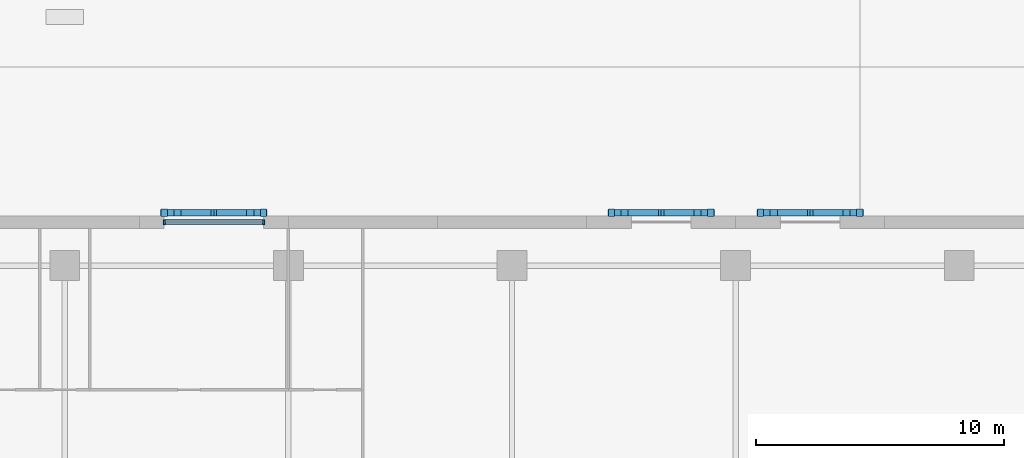
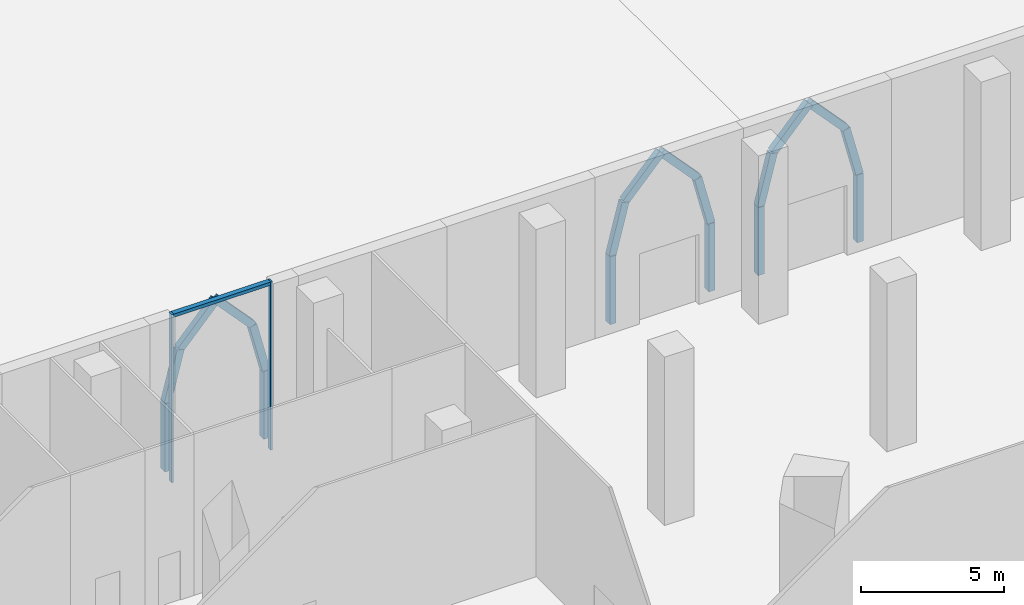
# One storey, part 15 of 48: 21 members, 1 element without a shape of its own.
"""IFC4 building model written with IfcOpenShell, lengths in metres."""

from ifc_helpers import new_model, si_unit, direction, frame, origin, origin_2d, place, context, subcontext, project, spatial, rectangle, extrude, material, material_profile, profile_set, type_object, element, aggregate, save


model = new_model("IFC4")

# Units and contexts
model_context = context("Model", 3, precision=1e-05, world=origin(), true_north=direction((0.0, 1.0)))
body_context = subcontext(model_context, "Body", "Model", "MODEL_VIEW")
ifc_project = project(units=[si_unit("LENGTHUNIT", "METRE"), si_unit("AREAUNIT", "SQUARE_METRE"), si_unit("VOLUMEUNIT", "CUBIC_METRE"), si_unit("PLANEANGLEUNIT", "RADIAN"), si_unit("MASSUNIT", "GRAM", prefix="KILO")], contexts=[model_context])

# Site, building, storey
site_placement = place(None, origin())
site = spatial("IfcSite", under=ifc_project, at=site_placement, CompositionType="ELEMENT")
building_placement = place(site_placement, origin())
building = spatial("IfcBuilding", under=site, at=building_placement, Name="Ogive Gate Towers", CompositionType="ELEMENT")
storey_placement = place(building_placement, origin())
storey = spatial("IfcBuildingStorey", under=building, at=storey_placement, Name="L00", CompositionType="ELEMENT", Elevation=0.0)

# Members
ifc_material_1 = material(Name="Precast concrete C40/50", Category="concrete")
ifc_material_profile_1 = material_profile(ifc_material_1, rectangle(XDim=0.25, YDim=0.300048828125, at=origin_2d()), Name="250 x 300 cast stone")
ifc_profile_set_1 = profile_set([ifc_material_profile_1], Name="Precast concrete C40/50")
member_type_1 = type_object("IfcMemberType", Name="Arch rib 250 x 300", PredefinedType="USERDEFINED", material=ifc_profile_set_1)
member_1_placement = place(storey_placement, frame((32.0, 38.125, 0.0), z_axis=(0.0, 0.0, 1.0), x_axis=(1.0, 0.0, 0.0)))
element("IfcMember", 1, at=member_1_placement, inside=storey, type_object=member_type_1, Name="Arcade arch rib", ObjectType="ARCH RIB", PredefinedType="USERDEFINED", context=body_context, shape_type="SweptSolid", body=[
    extrude(rectangle(XDim=0.25, YDim=0.300048828125, at=origin_2d()), origin(), (0.0, 0.0, 1.0), 2.89990234375),
])
for number, where, z_axis, x_axis, name in (
    (2, (32.0, 38.125, 2.89990234375), (-0.245931792163, 0.0, 0.969287136819), (0.0, -1.0, 0.0), "Arcade arch rib"),
    (3, (31.4677734375, 38.125, 4.99755859375), (-0.678223875113, 0.0, 0.734855343062), (0.0, -1.0, 0.0), "Arcade arch rib"),
):
    element("IfcMember", number, at=place(storey_placement, frame(where, z_axis=z_axis, x_axis=x_axis)), inside=storey, type_object=member_type_1, Name=name, ObjectType="ARCH RIB", PredefinedType="USERDEFINED", context=body_context, shape_type="SweptSolid", body=[
        extrude(rectangle(XDim=0.25, YDim=0.300048828125, at=origin_2d()), origin(), (0.0, 0.0, 1.0), 2.1640625),
    ])
member_2_placement = place(storey_placement, frame((28.0, 38.125, 0.0), z_axis=(0.0, 0.0, 1.0), x_axis=(1.0, 0.0, 0.0)))
element("IfcMember", 4, at=member_2_placement, inside=storey, type_object=member_type_1, Name="Arcade arch rib", ObjectType="ARCH RIB", PredefinedType="USERDEFINED", context=body_context, shape_type="SweptSolid", body=[
    extrude(rectangle(XDim=0.25, YDim=0.300048828125, at=origin_2d()), origin(), (0.0, 0.0, 1.0), 2.89990234375),
])
for number, where, z_axis, x_axis, name in (
    (5, (28.0, 38.125, 2.89990234375), (0.245931792163, 0.0, 0.969287136819), (0.0, 1.0, 0.0), "Arcade arch rib"),
    (6, (28.5322265625, 38.125, 4.99755859375), (0.678223875113, 0.0, 0.734855343062), (0.0, 1.0, 0.0), "Arcade arch rib"),
):
    element("IfcMember", number, at=place(storey_placement, frame(where, z_axis=z_axis, x_axis=x_axis)), inside=storey, type_object=member_type_1, Name=name, ObjectType="ARCH RIB", PredefinedType="USERDEFINED", context=body_context, shape_type="SweptSolid", body=[
        extrude(rectangle(XDim=0.25, YDim=0.300048828125, at=origin_2d()), origin(), (0.0, 0.0, 1.0), 2.1640625),
    ])
member_3_placement = place(storey_placement, frame((26.0, 38.125, 0.0), z_axis=(0.0, 0.0, 1.0), x_axis=(1.0, 0.0, 0.0)))
element("IfcMember", 7, at=member_3_placement, inside=storey, type_object=member_type_1, Name="Arcade arch rib", ObjectType="ARCH RIB", PredefinedType="USERDEFINED", context=body_context, shape_type="SweptSolid", body=[
    extrude(rectangle(XDim=0.25, YDim=0.300048828125, at=origin_2d()), origin(), (0.0, 0.0, 1.0), 2.89990234375),
])
for number, where, z_axis, x_axis, name in (
    (8, (26.0, 38.125, 2.89990234375), (-0.245931792163, 0.0, 0.969287136819), (0.0, -1.0, 0.0), "Arcade arch rib"),
    (9, (25.4677734375, 38.125, 4.99755859375), (-0.678223875113, 0.0, 0.734855343062), (0.0, -1.0, 0.0), "Arcade arch rib"),
):
    element("IfcMember", number, at=place(storey_placement, frame(where, z_axis=z_axis, x_axis=x_axis)), inside=storey, type_object=member_type_1, Name=name, ObjectType="ARCH RIB", PredefinedType="USERDEFINED", context=body_context, shape_type="SweptSolid", body=[
        extrude(rectangle(XDim=0.25, YDim=0.300048828125, at=origin_2d()), origin(), (0.0, 0.0, 1.0), 2.1640625),
    ])
member_4_placement = place(storey_placement, frame((22.0, 38.125, 0.0), z_axis=(0.0, 0.0, 1.0), x_axis=(1.0, 0.0, 0.0)))
element("IfcMember", 10, at=member_4_placement, inside=storey, type_object=member_type_1, Name="Arcade arch rib", ObjectType="ARCH RIB", PredefinedType="USERDEFINED", context=body_context, shape_type="SweptSolid", body=[
    extrude(rectangle(XDim=0.25, YDim=0.300048828125, at=origin_2d()), origin(), (0.0, 0.0, 1.0), 2.89990234375),
])
for number, where, z_axis, x_axis, name in (
    (11, (22.0, 38.125, 2.89990234375), (0.245931792163, 0.0, 0.969287136819), (0.0, 1.0, 0.0), "Arcade arch rib"),
    (12, (22.5322265625, 38.125, 4.99755859375), (0.678223875113, 0.0, 0.734855343062), (0.0, 1.0, 0.0), "Arcade arch rib"),
):
    element("IfcMember", number, at=place(storey_placement, frame(where, z_axis=z_axis, x_axis=x_axis)), inside=storey, type_object=member_type_1, Name=name, ObjectType="ARCH RIB", PredefinedType="USERDEFINED", context=body_context, shape_type="SweptSolid", body=[
        extrude(rectangle(XDim=0.25, YDim=0.300048828125, at=origin_2d()), origin(), (0.0, 0.0, 1.0), 2.1640625),
    ])
member_5_placement = place(storey_placement, frame((8.0, 38.125, 0.0), z_axis=(0.0, 0.0, 1.0), x_axis=(1.0, 0.0, 0.0)))
element("IfcMember", 13, at=member_5_placement, inside=storey, type_object=member_type_1, Name="Arcade arch rib", ObjectType="ARCH RIB", PredefinedType="USERDEFINED", context=body_context, shape_type="SweptSolid", body=[
    extrude(rectangle(XDim=0.25, YDim=0.300048828125, at=origin_2d()), origin(), (0.0, 0.0, 1.0), 2.89990234375),
])
for number, where, z_axis, x_axis, name in (
    (14, (8.0, 38.125, 2.89990234375), (-0.245931792163, 0.0, 0.969287136819), (0.0, -1.0, 0.0), "Arcade arch rib"),
    (15, (7.4677734375, 38.125, 4.99755859375), (-0.678223875113, 0.0, 0.734855343062), (0.0, -1.0, 0.0), "Arcade arch rib"),
):
    element("IfcMember", number, at=place(storey_placement, frame(where, z_axis=z_axis, x_axis=x_axis)), inside=storey, type_object=member_type_1, Name=name, ObjectType="ARCH RIB", PredefinedType="USERDEFINED", context=body_context, shape_type="SweptSolid", body=[
        extrude(rectangle(XDim=0.25, YDim=0.300048828125, at=origin_2d()), origin(), (0.0, 0.0, 1.0), 2.1640625),
    ])
member_6_placement = place(storey_placement, frame((4.0, 38.125, 0.0), z_axis=(0.0, 0.0, 1.0), x_axis=(1.0, 0.0, 0.0)))
element("IfcMember", 16, at=member_6_placement, inside=storey, type_object=member_type_1, Name="Arcade arch rib", ObjectType="ARCH RIB", PredefinedType="USERDEFINED", context=body_context, shape_type="SweptSolid", body=[
    extrude(rectangle(XDim=0.25, YDim=0.300048828125, at=origin_2d()), origin(), (0.0, 0.0, 1.0), 2.89990234375),
])
for number, where, z_axis, x_axis, name in (
    (17, (4.0, 38.125, 2.89990234375), (0.245931792163, 0.0, 0.969287136819), (0.0, 1.0, 0.0), "Arcade arch rib"),
    (18, (4.5322265625, 38.125, 4.99755859375), (0.678223875113, 0.0, 0.734855343062), (0.0, 1.0, 0.0), "Arcade arch rib"),
):
    element("IfcMember", number, at=place(storey_placement, frame(where, z_axis=z_axis, x_axis=x_axis)), inside=storey, type_object=member_type_1, Name=name, ObjectType="ARCH RIB", PredefinedType="USERDEFINED", context=body_context, shape_type="SweptSolid", body=[
        extrude(rectangle(XDim=0.25, YDim=0.300048828125, at=origin_2d()), origin(), (0.0, 0.0, 1.0), 2.1640625),
    ])

# Curtain wall, members
ifc_material_2 = material(Name="Pale metal aluminium", Category="aluminium")
curtain_wall_type = type_object("IfcCurtainWallType", Name="Podium glazing", PredefinedType="NOTDEFINED", material=ifc_material_2)
curtain_wall_placement = place(storey_placement, origin())
curtain_wall = element("IfcCurtainWall", 19, at=curtain_wall_placement, inside=storey, type_object=curtain_wall_type, Name="CW6 PD ECW04", PredefinedType="NOTDEFINED")
ifc_material_profile_2 = material_profile(ifc_material_2, rectangle(XDim=0.199951171875, YDim=0.080078125, at=origin_2d()), Name="80 x 200 aluminium box")
ifc_profile_set_2 = profile_set([ifc_material_profile_2], Name="Pale metal aluminium")
member_type_2 = type_object("IfcMemberType", Name="Podium glazing mullion 80 x 200", PredefinedType="MULLION", material=ifc_profile_set_2)
member_7_placement = place(storey_placement, frame((8.0, 37.75, -0.300048828125), z_axis=(0.0, 0.0, 1.0), x_axis=(0.0, 1.0, 0.0)))
member_7 = element("IfcMember", 20, at=member_7_placement, type_object=member_type_2, Name="CW6 mullion", PredefinedType="MULLION", context=body_context, shape_type="SweptSolid", body=[
    extrude(rectangle(XDim=0.199951171875, YDim=0.080078125, at=origin_2d()), origin(), (0.0, 0.0, 1.0), 7.199951171875),
])
member_8_placement = place(storey_placement, frame((4.0, 37.75, -0.300048828125), z_axis=(0.0, 0.0, 1.0), x_axis=(0.0, 1.0, 0.0)))
member_8 = element("IfcMember", 21, at=member_8_placement, type_object=member_type_2, Name="CW6 mullion", PredefinedType="MULLION", context=body_context, shape_type="SweptSolid", body=[
    extrude(rectangle(XDim=0.199951171875, YDim=0.080078125, at=origin_2d()), origin(), (0.0, 0.0, 1.0), 7.199951171875),
])
ifc_material_profile_3 = material_profile(ifc_material_2, rectangle(XDim=0.199951171875, YDim=0.139892578125, at=origin_2d()), Name="140 x 200 aluminium box")
ifc_profile_set_3 = profile_set([ifc_material_profile_3], Name="Pale metal aluminium")
member_type_3 = type_object("IfcMemberType", Name="Podium glazing transom 140 x 200", PredefinedType="USERDEFINED", material=ifc_profile_set_3)
member_9_placement = place(storey_placement, frame((7.9599609375, 37.75, 6.830078125), z_axis=(-1.0, 0.0, 0.0), x_axis=(0.0, -1.0, 0.0)))
member_9 = element("IfcMember", 22, at=member_9_placement, type_object=member_type_3, Name="CW6 transom", ObjectType="TRANSOM", PredefinedType="USERDEFINED", context=body_context, shape_type="SweptSolid", body=[
    extrude(rectangle(XDim=0.199951171875, YDim=0.139892578125, at=origin_2d()), origin(), (0.0, 0.0, 1.0), 3.919921875),
])
aggregate(curtain_wall, [member_7, member_8, member_9])

save(model, "model.ifc")
